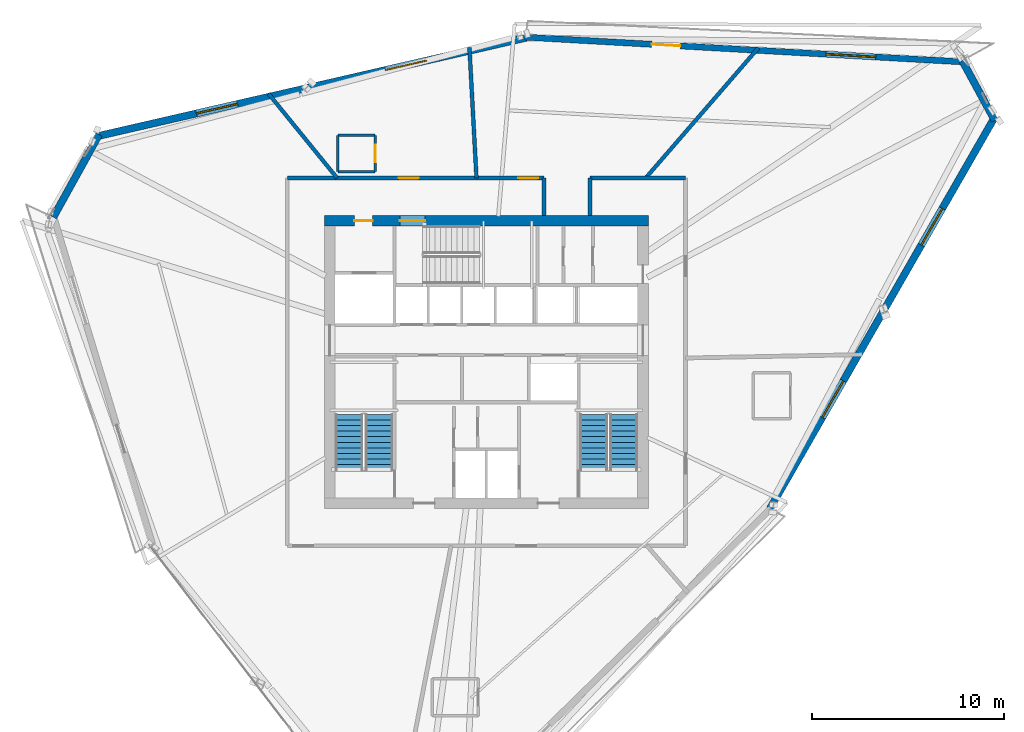
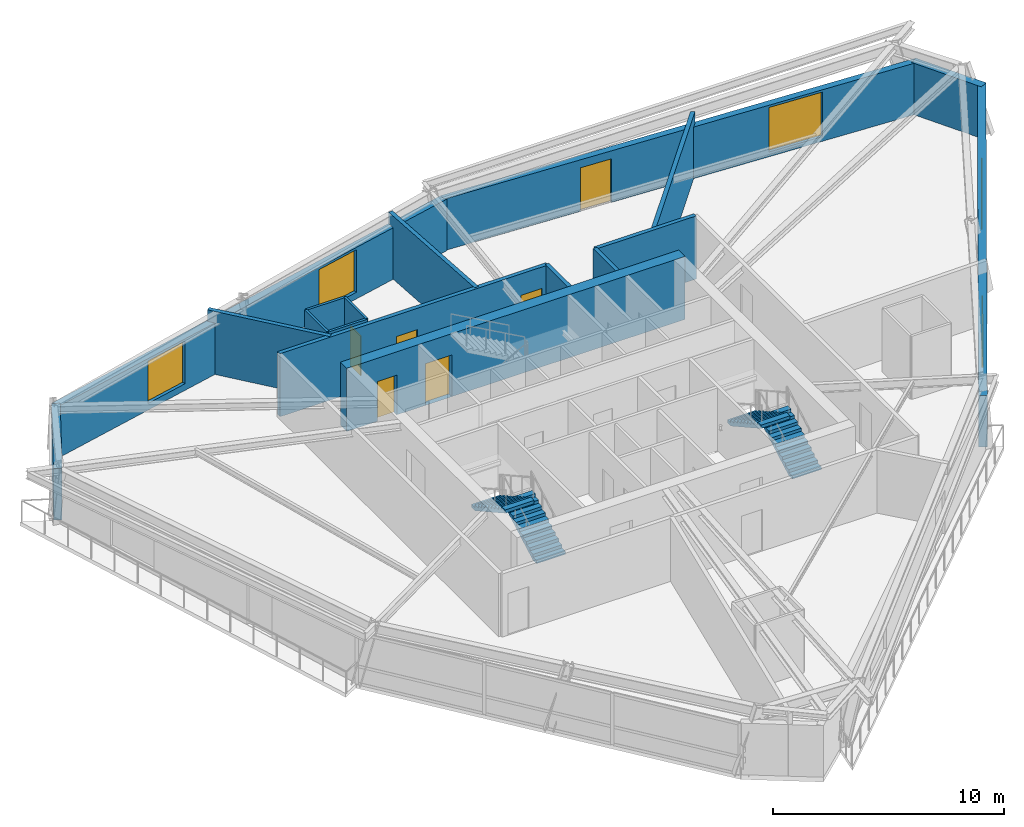
# One storey, part 11 of 15: 17 walls, 6 doors, 5 windows, 4 stair flights, 11 openings, 2 elements without a shape of their own.
"""IFC4 building model written with IfcOpenShell, lengths in metres."""

import ifcopenshell
import ifcopenshell.guid

model = None  # the IFC model being written
_history = None  # IfcOwnerHistory: only IFC2X3 demands one
_inside = {}  # id of a spatial element -> (the spatial element, [elements in it])
_under = {}  # id of a project, library or spatial element -> (it, [spatial elements below it])
_declared = {}  # id of a project -> (the project, [libraries it declares])
_typed = {}  # id of a type object -> (the type object, [elements of that type])
_made_of = {}  # id of a material, layer set ... -> (it, [elements and type objects made of it])


def new_model(schema):
    """Start an empty IFC model of exactly this schema.

    Asked for "IFC4X3", IfcOpenShell would pick the latest addendum, in which some entities
    have other attributes; the version numbers below select the first issue.
    IFC2X3 requires an IfcOwnerHistory on every rooted entity: one is made here for all.
    """
    global model, _history
    if schema == "IFC4X3":
        model = ifcopenshell.file(schema_version=(4, 3, 0, 0))
    else:
        model = ifcopenshell.file(schema=schema)
    _inside.clear()
    _under.clear()
    _declared.clear()
    _typed.clear()
    _made_of.clear()
    _history = None
    if model.schema == "IFC2X3":
        org = make("IfcOrganization", Name="unknown")
        user = make(
            "IfcPersonAndOrganization",
            ThePerson=make("IfcPerson", FamilyName="unknown"),
            TheOrganization=org,
        )
        app = make(
            "IfcApplication",
            ApplicationDeveloper=org,
            Version="unknown",
            ApplicationFullName="unknown",
            ApplicationIdentifier="unknown",
        )
        _history = make(
            "IfcOwnerHistory",
            OwningUser=user,
            OwningApplication=app,
            ChangeAction="ADDED",
            CreationDate=0,
        )
    return model


def make(cls, **values):
    """One entity of the class cls with the attributes given. An attribute that is None is left unset."""
    return model.create_entity(
        cls, **{name: value for name, value in values.items() if value is not None}
    )


def rooted(cls, **values):
    """An entity with a GlobalId (a new one), such as an element, a storey or a relation."""
    return make(cls, GlobalId=ifcopenshell.guid.new(), OwnerHistory=_history, **values)


def si_unit(unit_type, name, prefix=None):
    """IfcSIUnit, for example si_unit("LENGTHUNIT", "METRE", prefix="MILLI")."""
    return make("IfcSIUnit", UnitType=unit_type, Prefix=prefix, Name=name)


def assignment(units):
    """IfcUnitAssignment: the units of a project."""
    return None if units is None else make("IfcUnitAssignment", Units=units)


def point(xyz):
    """IfcCartesianPoint."""
    return None if xyz is None else make("IfcCartesianPoint", Coordinates=xyz)


def direction(xyz):
    """IfcDirection."""
    return None if xyz is None else make("IfcDirection", DirectionRatios=xyz)


def frame(location, z_axis=None, x_axis=None):
    """IfcAxis2Placement3D, a coordinate frame: its origin and axes. An axis left out is left unset."""
    return make(
        "IfcAxis2Placement3D",
        Location=point(location),
        Axis=direction(z_axis),
        RefDirection=direction(x_axis),
    )


def frame_2d(location, x_axis=None):
    """IfcAxis2Placement2D, a coordinate frame in the plane: its origin and x axis."""
    return make(
        "IfcAxis2Placement2D", Location=point(location), RefDirection=direction(x_axis)
    )


def origin():
    """The frame at (0, 0, 0) with its axes left unset."""
    return frame((0.0, 0.0, 0.0))


def place(relative_to, where):
    """IfcLocalPlacement: puts the frame where relative to a parent placement (None: the world)."""
    return make(
        "IfcLocalPlacement", PlacementRelTo=relative_to, RelativePlacement=where
    )


def context(
    kind, dimensions, precision=None, world=None, true_north=None, identifier=None
):
    """IfcGeometricRepresentationContext, for example the 3D "Model" context."""
    return make(
        "IfcGeometricRepresentationContext",
        ContextIdentifier=identifier,
        ContextType=kind,
        CoordinateSpaceDimension=dimensions,
        Precision=precision,
        WorldCoordinateSystem=world,
        TrueNorth=true_north,
    )


def subcontext(parent, identifier, kind, view, scale=None):
    """IfcGeometricRepresentationSubContext, for example "Body" below "Model"."""
    return make(
        "IfcGeometricRepresentationSubContext",
        ContextIdentifier=identifier,
        ContextType=kind,
        ParentContext=parent,
        TargetScale=scale,
        TargetView=view,
    )


def project(units=None, contexts=None):
    """IfcProject with its units and contexts."""
    return rooted(
        "IfcProject",
        Name="project",
        RepresentationContexts=contexts,
        UnitsInContext=assignment(units),
    )


def spatial(cls, under=None, at=None, **own):
    """A site, building, storey or space (cls), placed at a placement, below another one or the project."""
    s = rooted(cls, ObjectPlacement=at, **own)
    if under is not None:
        _under.setdefault(under.id(), (under, []))[1].append(s)
    return s


def polyline(points):
    """IfcPolyline through the points."""
    return make("IfcPolyline", Points=[point(p) for p in points])


def profile(cls, at=None, kind="AREA", **sizes):
    """A parametric profile (cls). Its sizes go by their IFC names, for example OverallWidth=200.0."""
    return make(cls, ProfileType=kind, Position=at, **sizes)


def rectangle(**sizes):
    """IfcRectangleProfileDef."""
    return profile("IfcRectangleProfileDef", **sizes)


def outline(outer, holes=None, kind="AREA"):
    """IfcArbitraryClosedProfileDef: a profile drawn as a closed curve; with holes, ...WithVoids."""
    if holes is None:
        return make("IfcArbitraryClosedProfileDef", ProfileType=kind, OuterCurve=outer)
    return make(
        "IfcArbitraryProfileDefWithVoids",
        ProfileType=kind,
        OuterCurve=outer,
        InnerCurves=holes,
    )


def extrude(swept, where, along, depth):
    """IfcExtrudedAreaSolid: the profile swept, set in the frame where, extruded along a direction by depth."""
    return make(
        "IfcExtrudedAreaSolid",
        SweptArea=swept,
        Position=where,
        ExtrudedDirection=direction(along),
        Depth=depth,
    )


def shape(context_of_items, identifier, shape_type, items):
    """IfcShapeRepresentation: the items that make up one representation, for example the "Body"."""
    return make(
        "IfcShapeRepresentation",
        ContextOfItems=context_of_items,
        RepresentationIdentifier=identifier,
        RepresentationType=shape_type,
        Items=items,
    )


def source(mapping_origin, context_of_items, identifier, shape_type, items):
    """IfcRepresentationMap: a shape defined once, which mapped items show again and again."""
    return make(
        "IfcRepresentationMap",
        MappingOrigin=mapping_origin,
        MappedRepresentation=shape(context_of_items, identifier, shape_type, items),
    )


def transform(
    local_origin,
    x_axis=None,
    y_axis=None,
    z_axis=None,
    scale=None,
    scale2=None,
    scale3=None,
    uniform=True,
):
    """IfcCartesianTransformationOperator3D, or its non-uniform kind. x_axis, y_axis, z_axis: its Axis1, 2, 3."""
    if uniform:
        return make(
            "IfcCartesianTransformationOperator3D",
            Axis1=direction(x_axis),
            Axis2=direction(y_axis),
            LocalOrigin=point(local_origin),
            Scale=scale,
            Axis3=direction(z_axis),
        )
    return make(
        "IfcCartesianTransformationOperator3DnonUniform",
        Axis1=direction(x_axis),
        Axis2=direction(y_axis),
        LocalOrigin=point(local_origin),
        Scale=scale,
        Axis3=direction(z_axis),
        Scale2=scale2,
        Scale3=scale3,
    )


def mapped(mapping_source, mapping_target):
    """IfcMappedItem: shows the shape of a source again, moved by a transform."""
    return make(
        "IfcMappedItem", MappingSource=mapping_source, MappingTarget=mapping_target
    )


def material(Name=None, Category=None):
    """IfcMaterial."""
    return make("IfcMaterial", Name=Name, Category=Category)


def layer(
    of_material, thickness, ventilated=None, Name=None, Category=None, Priority=None
):
    """IfcMaterialLayer: one layer of a wall or slab, of a material (None: an air gap)."""
    return make(
        "IfcMaterialLayer",
        Material=of_material,
        LayerThickness=thickness,
        IsVentilated=ventilated,
        Name=Name,
        Category=Category,
        Priority=Priority,
    )


def layer_set(layers, Name=None):
    """IfcMaterialLayerSet."""
    return make("IfcMaterialLayerSet", MaterialLayers=layers, LayerSetName=Name)


def made_of(thing, what):
    """Note that an element or type object is made of a material, layer set ...; save() writes the relation."""
    if what is not None:
        _made_of.setdefault(what.id(), (what, []))[1].append(thing)
    return thing


def type_object(cls, material=None, **own):
    """A type object (cls), such as IfcWallType, which elements share."""
    return made_of(rooted(cls, **own), material)


def type_shapes(of_type, sources):
    """Give a type object the sources (RepresentationMaps) that its elements show as mapped items."""
    of_type.RepresentationMaps = sources


def element(
    cls,
    number,
    at=None,
    inside=None,
    cuts=None,
    type_object=None,
    material=None,
    context=None,
    identifier="Body",
    shape_type=None,
    held_by="IfcProductDefinitionShape",
    body=None,
    shapes=None,
    **own,
):
    """One element of the class cls, such as IfcWall. Its Tag is "e" and its number.

    at: its placement. inside: the storey or other place that contains it. cuts: it is an
    opening in that element (IfcRelVoidsElement). A single representation is given by context,
    identifier, shape_type and body (its items); several are given by shapes. held_by: the class
    of the entity that holds the representations. save() writes the other relations.
    """
    e = rooted(cls, Tag="e%d" % number, ObjectPlacement=at, **own)
    if body is not None:
        shapes = [shape(context, identifier, shape_type, body)]
    if shapes is not None:
        e.Representation = make(held_by, Representations=shapes)
    if inside is not None:
        _inside.setdefault(inside.id(), (inside, []))[1].append(e)
    if cuts is not None:
        rooted(
            "IfcRelVoidsElement", RelatingBuildingElement=cuts, RelatedOpeningElement=e
        )
    if type_object is not None:
        _typed.setdefault(type_object.id(), (type_object, []))[1].append(e)
    return made_of(e, material)


def fill(opening, filler):
    """IfcRelFillsElement: the door or window that sits in an opening."""
    return rooted(
        "IfcRelFillsElement",
        RelatingOpeningElement=opening,
        RelatedBuildingElement=filler,
    )


def aggregate(whole, parts):
    """IfcRelAggregates: a whole, such as a stair, and the parts it consists of."""
    return rooted("IfcRelAggregates", RelatingObject=whole, RelatedObjects=parts)


def save(model, path):
    """Write the relations noted so far, then the file.

    IfcRelAggregates (storeys below a building ...), IfcRelContainedInSpatialStructure (elements
    in a storey), IfcRelDefinesByType, IfcRelAssociatesMaterial and IfcRelDeclares: one each for
    every whole, place, type object, material and project.
    """
    for whole, parts in _under.values():
        aggregate(whole, parts)
    for where, things in _inside.values():
        rooted(
            "IfcRelContainedInSpatialStructure",
            RelatedElements=things,
            RelatingStructure=where,
        )
    for kind, things in _typed.values():
        rooted("IfcRelDefinesByType", RelatedObjects=things, RelatingType=kind)
    for what, things in _made_of.values():
        rooted("IfcRelAssociatesMaterial", RelatedObjects=things, RelatingMaterial=what)
    for by, libraries in _declared.values():
        rooted("IfcRelDeclares", RelatingContext=by, RelatedDefinitions=libraries)
    model.write(path)


model = new_model("IFC4")

# Units and contexts
model_context = context("Model", 3, precision=1e-05, world=origin(), true_north=direction((0.0, 1.0)))
body_context = subcontext(model_context, "Body", "Model", "MODEL_VIEW")
ifc_project = project(units=[si_unit("LENGTHUNIT", "METRE"), si_unit("AREAUNIT", "SQUARE_METRE"), si_unit("VOLUMEUNIT", "CUBIC_METRE"), si_unit("PLANEANGLEUNIT", "RADIAN"), si_unit("MASSUNIT", "GRAM", prefix="KILO")], contexts=[model_context])

# Site, building, storey
site_placement = place(None, origin())
site = spatial("IfcSite", under=ifc_project, at=site_placement, CompositionType="ELEMENT")
building_placement = place(site_placement, origin())
building = spatial("IfcBuilding", under=site, at=building_placement, Name="Olszyna Solenne Hotel", CompositionType="ELEMENT")
storey_placement = place(building_placement, frame((0.0, 0.0, 157.25)))
storey = spatial("IfcBuildingStorey", under=building, at=storey_placement, Name="L41", CompositionType="ELEMENT", Elevation=157.25)

# Wall, openings, doors
ifc_material_1 = material(Name="Concrete C50/60", Category="concrete")
ifc_layer_1 = layer(ifc_material_1, 0.550048828125, Name="Concrete C50/60")
ifc_layer_set_1 = layer_set([ifc_layer_1], Name="Concrete C50/60")
wall_type_1 = type_object("IfcWallType", Name="WL-CR550", PredefinedType="SHEAR", material=ifc_layer_set_1)
wall_1_placement = place(storey_placement, frame((29.550048828125, 33.97509765625, 0.0), z_axis=(0.0, 0.0, 1.0), x_axis=(1.0, 0.0, 0.0)))
wall_1 = element("IfcWall", 1, at=wall_1_placement, inside=storey, type_object=wall_type_1, Name="Core shear wall WL-CR550 CRW-L41-N", PredefinedType="SHEAR", context=body_context, shape_type="SweptSolid", body=[
    extrude(rectangle(XDim=16.89990234375, YDim=0.550048828125, at=frame_2d((8.449951171875, 0.0))), origin(), (0.0, 0.0, 1.0), 3.330078125),
])
opening_1_placement = place(wall_1_placement, frame((1.550048828125, 0.0, 0.0)))
opening_1 = element("IfcOpeningElement", 2, at=opening_1_placement, cuts=wall_1, Name="Opening SVD-L41-01", PredefinedType="OPENING", context=body_context, shape_type="SweptSolid", body=[
    extrude(rectangle(XDim=0.949951171875, YDim=2.10009765625, at=frame_2d((0.47509765625, 1.050048828125))), frame((0.0, 0.28515625, 0.0), z_axis=(0.0, -1.0, 0.0), x_axis=(1.0, 0.0, 0.0)), (0.0, 0.0, 1.0), 0.570068359375),
])
opening_2_placement = place(wall_1_placement, frame((3.929931640625, 0.0, 0.0)))
opening_2 = element("IfcOpeningElement", 3, at=opening_2_placement, cuts=wall_1, Name="Opening STD-L41-03", PredefinedType="OPENING", context=body_context, shape_type="SweptSolid", body=[
    extrude(rectangle(XDim=1.320068359375, YDim=2.199951171875, at=frame_2d((0.66015625, 1.10009765625))), frame((0.0, 0.28515625, 0.0), z_axis=(0.0, -1.0, 0.0), x_axis=(1.0, 0.0, 0.0)), (0.0, 0.0, 1.0), 0.570068359375),
])
ifc_material_2 = material(Name="Steel S355J2", Category="steel")
door_type_1 = type_object("IfcDoorType", Name="DR-ST1", OperationType="NOTDEFINED", PredefinedType="DOOR", material=ifc_material_2)
shared_shape_1 = source(origin(), body_context, "Body", "SweptSolid", [
    extrude(rectangle(XDim=1.320068359375, YDim=2.199951171875, at=frame_2d((0.66015625, 1.10009765625))), frame((0.0, 0.02490234375, 0.0), z_axis=(0.0, -1.0, 0.0), x_axis=(1.0, 0.0, 0.0)), (0.0, 0.0, 1.0), 0.050048828125),
])
type_shapes(door_type_1, [shared_shape_1])
door_1_placement = place(opening_2_placement, origin())
door_1 = element("IfcDoor", 4, at=door_1_placement, inside=storey, type_object=door_type_1, Name="Pressurised exit stair ST3 fire door STD-L41-03", OperationType="SINGLE_SWING_RIGHT", OverallHeight=2.199951171875, OverallWidth=1.320068359375, PredefinedType="DOOR", context=body_context, shape_type="MappedRepresentation", body=[
    mapped(shared_shape_1, transform((0.0, 0.0, 0.0), x_axis=(1.0, 0.0, 0.0), y_axis=(0.0, 1.0, 0.0), z_axis=(0.0, 0.0, 1.0), scale=1.0)),
])
fill(opening_2, door_1)
door_type_2 = type_object("IfcDoorType", Name="DR-SV1", OperationType="NOTDEFINED", PredefinedType="DOOR", material=ifc_material_2)
shared_shape_2 = source(origin(), body_context, "Body", "SweptSolid", [
    extrude(rectangle(XDim=0.949951171875, YDim=2.10009765625, at=frame_2d((0.47509765625, 1.050048828125))), frame((0.0, 0.02490234375, 0.0), z_axis=(0.0, -1.0, 0.0), x_axis=(1.0, 0.0, 0.0)), (0.0, 0.0, 1.0), 0.050048828125),
])
type_shapes(door_type_2, [shared_shape_2])
door_2_placement = place(opening_1_placement, origin())
door_2 = element("IfcDoor", 5, at=door_2_placement, inside=storey, type_object=door_type_2, Name="Service lift lobby fire door SVD-L41-01", OperationType="SINGLE_SWING_LEFT", OverallHeight=2.10009765625, OverallWidth=0.949951171875, PredefinedType="DOOR", context=body_context, shape_type="MappedRepresentation", body=[
    mapped(shared_shape_2, transform((0.0, 0.0, 0.0), x_axis=(1.0, 0.0, 0.0), y_axis=(0.0, 1.0, 0.0), z_axis=(0.0, 0.0, 1.0), scale=1.0)),
])
fill(opening_1, door_2)

# Wall, openings, door, window
ifc_material_3 = material(Name="Precast concrete C45/55", Category="concrete")
ifc_layer_2 = layer(ifc_material_3, 0.320068359375, Name="Precast concrete C45/55")
ifc_layer_set_2 = layer_set([ifc_layer_2], Name="Precast concrete C45/55")
wall_type_2 = type_object("IfcWallType", Name="WL-EX320", PredefinedType="SOLIDWALL", material=ifc_layer_set_2)
wall_2_placement = place(storey_placement, frame((40.026611328125, 43.552978515625, 0.0), z_axis=(0.0, 0.0, 1.0), x_axis=(0.998410901797, -0.056353093731, 0.0)))
wall_2 = element("IfcWall", 6, at=wall_2_placement, inside=storey, type_object=wall_type_2, Name="Exterior terracotta-precast frame wall WL-EX320 EW-L41-08", PredefinedType="SOLIDWALL", context=body_context, shape_type="SweptSolid", body=[
    extrude(rectangle(XDim=23.013427734375, YDim=0.320068359375, at=frame_2d((11.5068359375, 0.0))), origin(), (0.0, 0.0, 1.0), 2.721923828125),
])
opening_3_placement = place(wall_2_placement, frame((6.614013671875, 0.0, 0.0)))
opening_3 = element("IfcOpeningElement", 7, at=opening_3_placement, cuts=wall_2, Name="Opening LDG-L41-1", PredefinedType="OPENING", context=body_context, shape_type="SweptSolid", body=[
    extrude(rectangle(XDim=1.5, YDim=2.300048828125, at=frame_2d((0.75, 1.14990234375))), frame((0.0, 0.169921875, 0.0), z_axis=(0.0, -1.0, 0.0), x_axis=(1.0, 0.0, 0.0)), (0.0, 0.0, 1.0), 0.340087890625),
])
opening_4_placement = place(wall_2_placement, frame((15.72998046875, 0.0, 0.251953125)))
opening_4 = element("IfcOpeningElement", 8, at=opening_4_placement, cuts=wall_2, Name="Opening WN-L41-252", PredefinedType="OPENING", context=body_context, shape_type="SweptSolid", body=[
    extrude(rectangle(XDim=2.60009765625, YDim=2.35009765625, at=frame_2d((1.300048828125, 1.175048828125))), frame((0.0, 0.169921875, 0.0), z_axis=(0.0, -1.0, 0.0), x_axis=(1.0, 0.0, 0.0)), (0.0, 0.0, 1.0), 0.340087890625),
])
ifc_material_4 = material(Name="Anodised bronze aluminium", Category="aluminium")
door_type_3 = type_object("IfcDoorType", Name="DR-LG2", OperationType="DOUBLE_DOOR_SINGLE_SWING", PredefinedType="DOOR", material=ifc_material_4)
shared_shape_3 = source(origin(), body_context, "Body", "SweptSolid", [
    extrude(rectangle(XDim=1.5, YDim=2.300048828125, at=frame_2d((0.75, 1.14990234375))), frame((0.0, 0.02490234375, 0.0), z_axis=(0.0, -1.0, 0.0), x_axis=(1.0, 0.0, 0.0)), (0.0, 0.0, 1.0), 0.050048828125),
])
type_shapes(door_type_3, [shared_shape_3])
door_3_placement = place(opening_3_placement, origin())
door_3 = element("IfcDoor", 9, at=door_3_placement, inside=storey, type_object=door_type_3, Name="Exterior loggia balcony door DR-LG2 LDG-L41-1", OperationType="DOUBLE_DOOR_SINGLE_SWING", OverallHeight=2.300048828125, OverallWidth=1.5, PredefinedType="DOOR", context=body_context, shape_type="MappedRepresentation", body=[
    mapped(shared_shape_3, transform((0.0, 0.0, 0.0), x_axis=(1.0, 0.0, 0.0), y_axis=(0.0, 1.0, 0.0), z_axis=(0.0, 0.0, 1.0), scale=1.0)),
])
fill(opening_3, door_3)
ifc_material_5 = material(Name="Low-E triple glazing", Category="glass")
window_type_1 = type_object("IfcWindowType", Name="WN-ST1", PartitioningType="SINGLE_PANEL", PredefinedType="WINDOW", material=ifc_material_5)
shared_shape_4 = source(origin(), body_context, "Body", "SweptSolid", [
    extrude(rectangle(XDim=2.60009765625, YDim=2.35009765625, at=frame_2d((1.300048828125, 1.175048828125))), frame((0.0, 0.030029296875, 0.0), z_axis=(0.0, -1.0, 0.0), x_axis=(1.0, 0.0, 0.0)), (0.0, 0.0, 1.0), 0.06005859375),
])
type_shapes(window_type_1, [shared_shape_4])
window_1_placement = place(opening_4_placement, origin())
window_1 = element("IfcWindow", 10, at=window_1_placement, inside=storey, type_object=window_type_1, Name="Loggia room window WN-ST1 WN-L41-252", OverallHeight=2.35009765625, OverallWidth=2.60009765625, PartitioningType="SINGLE_PANEL", PredefinedType="WINDOW", context=body_context, shape_type="MappedRepresentation", body=[
    mapped(shared_shape_4, transform((0.0, 0.0, 0.0), x_axis=(1.0, 0.0, 0.0), y_axis=(0.0, 1.0, 0.0), z_axis=(0.0, 0.0, 1.0), scale=1.0)),
])
fill(opening_4, window_1)

# Wall
ifc_material_6 = material(Name="Terracotta cladding on precast concrete C45/55", Category="masonry")
ifc_layer_3 = layer(ifc_material_6, 0.3798828125, Name="Terracotta cladding on precast concrete C45/55")
ifc_layer_set_3 = layer_set([ifc_layer_3], Name="Terracotta cladding on precast concrete C45/55")
wall_type_3 = type_object("IfcWallType", Name="WL-EX380", PredefinedType="SOLIDWALL", material=ifc_layer_set_3)
wall_3_placement = place(storey_placement, frame((15.381103515625, 34.15380859375, 0.0), z_axis=(0.0, 0.0, 1.0), x_axis=(0.484802227824, 0.874623804785, 0.0)))
element("IfcWall", 11, at=wall_3_placement, inside=storey, type_object=wall_type_3, Name="Exterior terracotta-precast frame wall WL-EX380 EW-L41-06", PredefinedType="SOLIDWALL", context=body_context, shape_type="SweptSolid", body=[
    extrude(rectangle(XDim=4.9326171875, YDim=0.3798828125, at=frame_2d((2.46630859375, 0.0))), origin(), (0.0, 0.0, 1.0), 2.721923828125),
])

# Wall, openings, windows
wall_4_placement = place(storey_placement, frame((17.648681640625, 38.375, 0.0), z_axis=(0.0, 0.0, 1.0), x_axis=(0.974613320318, 0.223894787475, 0.0)))
wall_4 = element("IfcWall", 12, at=wall_4_placement, inside=storey, type_object=wall_type_3, Name="Exterior terracotta-precast frame wall WL-EX380 EW-L41-07", PredefinedType="SOLIDWALL", context=body_context, shape_type="SweptSolid", body=[
    extrude(rectangle(XDim=23.013427734375, YDim=0.3798828125, at=frame_2d((11.5068359375, 0.0))), origin(), (0.0, 0.0, 1.0), 2.721923828125),
])
opening_5_placement = place(wall_4_placement, frame((5.343994140625, 0.0, 0.35205078125)))
opening_5 = element("IfcOpeningElement", 13, at=opening_5_placement, cuts=wall_4, Name="Opening WN-L41-250", PredefinedType="OPENING", context=body_context, shape_type="SweptSolid", body=[
    extrude(rectangle(XDim=2.199951171875, YDim=2.25, at=frame_2d((1.10009765625, 1.125))), frame((0.0, 0.199951171875, 0.0), z_axis=(0.0, -1.0, 0.0), x_axis=(1.0, 0.0, 0.0)), (0.0, 0.0, 1.0), 0.39990234375),
])
opening_6_placement = place(wall_4_placement, frame((15.469970703125, 0.0, 0.35205078125)))
opening_6 = element("IfcOpeningElement", 14, at=opening_6_placement, cuts=wall_4, Name="Opening WN-L41-251", PredefinedType="OPENING", context=body_context, shape_type="SweptSolid", body=[
    extrude(rectangle(XDim=2.199951171875, YDim=2.25, at=frame_2d((1.10009765625, 1.125))), frame((0.0, 0.199951171875, 0.0), z_axis=(0.0, -1.0, 0.0), x_axis=(1.0, 0.0, 0.0)), (0.0, 0.0, 1.0), 0.39990234375),
])
window_type_2 = type_object("IfcWindowType", Name="WN-HT2", PartitioningType="SINGLE_PANEL", PredefinedType="WINDOW", material=ifc_material_5)
shared_shape_5 = source(origin(), body_context, "Body", "SweptSolid", [
    extrude(rectangle(XDim=2.199951171875, YDim=2.25, at=frame_2d((1.10009765625, 1.125))), frame((0.0, 0.030029296875, 0.0), z_axis=(0.0, -1.0, 0.0), x_axis=(1.0, 0.0, 0.0)), (0.0, 0.0, 1.0), 0.06005859375),
])
type_shapes(window_type_2, [shared_shape_5])
window_2_placement = place(opening_5_placement, origin())
window_2 = element("IfcWindow", 15, at=window_2_placement, inside=storey, type_object=window_type_2, Name="Exterior facade window WN-HT2 WN-L41-250", OverallHeight=2.25, OverallWidth=2.199951171875, PartitioningType="SINGLE_PANEL", PredefinedType="WINDOW", context=body_context, shape_type="MappedRepresentation", body=[
    mapped(shared_shape_5, transform((0.0, 0.0, 0.0), x_axis=(1.0, 0.0, 0.0), y_axis=(0.0, 1.0, 0.0), z_axis=(0.0, 0.0, 1.0), scale=1.0)),
])
fill(opening_5, window_2)
window_3_placement = place(opening_6_placement, origin())
window_3 = element("IfcWindow", 16, at=window_3_placement, inside=storey, type_object=window_type_2, Name="Exterior facade window WN-HT2 WN-L41-251", OverallHeight=2.25, OverallWidth=2.199951171875, PartitioningType="SINGLE_PANEL", PredefinedType="WINDOW", context=body_context, shape_type="MappedRepresentation", body=[
    mapped(shared_shape_5, transform((0.0, 0.0, 0.0), x_axis=(1.0, 0.0, 0.0), y_axis=(0.0, 1.0, 0.0), z_axis=(0.0, 0.0, 1.0), scale=1.0)),
])
fill(opening_6, window_3)

# Wall
wall_5_placement = place(storey_placement, frame((62.845703125, 42.324951171875, 0.0), z_axis=(0.0, 0.0, 1.0), x_axis=(0.477924257252, -0.878401049823, 0.0)))
element("IfcWall", 17, at=wall_5_placement, inside=storey, type_object=wall_type_3, Name="Exterior terracotta-precast frame wall WL-EX380 EW-L41-09", PredefinedType="SOLIDWALL", context=body_context, shape_type="SweptSolid", body=[
    extrude(rectangle(XDim=3.55908203125, YDim=0.3798828125, at=frame_2d((1.779541015625, 0.0))), origin(), (0.0, 0.0, 1.0), 2.721923828125),
])

# Wall, openings, windows
wall_6_placement = place(storey_placement, frame((64.548583984375, 39.384033203125, 0.0), z_axis=(0.0, 0.0, 1.0), x_axis=(-0.49798956696, -0.867183020589, 0.0)))
wall_6 = element("IfcWall", 18, at=wall_6_placement, inside=storey, type_object=wall_type_3, Name="Exterior terracotta-precast frame wall WL-EX380 EW-L41-10", PredefinedType="SOLIDWALL", context=body_context, shape_type="SweptSolid", body=[
    extrude(rectangle(XDim=23.597900390625, YDim=0.3798828125, at=frame_2d((11.798828125, 0.0))), origin(), (0.0, 0.0, 1.0), 2.721923828125),
])
opening_7_placement = place(wall_6_placement, frame((5.507080078125, 0.0, 0.35205078125)))
opening_7 = element("IfcOpeningElement", 19, at=opening_7_placement, cuts=wall_6, Name="Opening WN-L41-253", PredefinedType="OPENING", context=body_context, shape_type="SweptSolid", body=[
    extrude(rectangle(XDim=2.199951171875, YDim=2.25, at=frame_2d((1.10009765625, 1.125))), frame((0.0, 0.199951171875, 0.0), z_axis=(0.0, -1.0, 0.0), x_axis=(1.0, 0.0, 0.0)), (0.0, 0.0, 1.0), 0.39990234375),
])
opening_8_placement = place(wall_6_placement, frame((15.89111328125, 0.0, 0.35205078125)))
opening_8 = element("IfcOpeningElement", 20, at=opening_8_placement, cuts=wall_6, Name="Opening WN-L41-254", PredefinedType="OPENING", context=body_context, shape_type="SweptSolid", body=[
    extrude(rectangle(XDim=2.199951171875, YDim=2.25, at=frame_2d((1.10009765625, 1.125))), frame((0.0, 0.199951171875, 0.0), z_axis=(0.0, -1.0, 0.0), x_axis=(1.0, 0.0, 0.0)), (0.0, 0.0, 1.0), 0.39990234375),
])
window_4_placement = place(opening_7_placement, origin())
window_4 = element("IfcWindow", 21, at=window_4_placement, inside=storey, type_object=window_type_2, Name="Exterior facade window WN-HT2 WN-L41-253", OverallHeight=2.25, OverallWidth=2.199951171875, PartitioningType="SINGLE_PANEL", PredefinedType="WINDOW", context=body_context, shape_type="MappedRepresentation", body=[
    mapped(shared_shape_5, transform((0.0, 0.0, 0.0), x_axis=(1.0, 0.0, 0.0), y_axis=(0.0, 1.0, 0.0), z_axis=(0.0, 0.0, 1.0), scale=1.0)),
])
fill(opening_7, window_4)
window_5_placement = place(opening_8_placement, origin())
window_5 = element("IfcWindow", 22, at=window_5_placement, inside=storey, type_object=window_type_2, Name="Exterior facade window WN-HT2 WN-L41-254", OverallHeight=2.25, OverallWidth=2.199951171875, PartitioningType="SINGLE_PANEL", PredefinedType="WINDOW", context=body_context, shape_type="MappedRepresentation", body=[
    mapped(shared_shape_5, transform((0.0, 0.0, 0.0), x_axis=(1.0, 0.0, 0.0), y_axis=(0.0, 1.0, 0.0), z_axis=(0.0, 0.0, 1.0), scale=1.0)),
])
fill(opening_8, window_5)

# Wall, opening, door
ifc_material_7 = material(Name="Acoustic gypsum partition", Category="gypsum")
ifc_layer_4 = layer(ifc_material_7, 0.125, Name="Acoustic gypsum partition")
ifc_layer_set_4 = layer_set([ifc_layer_4], Name="Acoustic gypsum partition")
wall_type_4 = type_object("IfcWallType", Name="WL-PT125", PredefinedType="PARTITIONING", material=ifc_layer_set_4)
wall_7_placement = place(storey_placement, frame((32.18603515625, 36.529052734375, 0.0), z_axis=(0.0, 0.0, 1.0), x_axis=(0.0, 1.0, 0.0)))
wall_7 = element("IfcWall", 23, at=wall_7_placement, inside=storey, type_object=wall_type_4, Name="Interior acoustic partition WL-PT125 PW-L41-2327", PredefinedType="PARTITIONING", context=body_context, shape_type="SweptSolid", body=[
    extrude(rectangle(XDim=1.89990234375, YDim=0.125, at=frame_2d((0.949951171875, 0.0))), origin(), (0.0, 0.0, 1.0), 3.330078125),
])
opening_9_placement = place(wall_7_placement, frame((0.5, 0.0, 0.0)))
opening_9 = element("IfcOpeningElement", 24, at=opening_9_placement, cuts=wall_7, Name="Opening DR-L41-0561", PredefinedType="OPENING", context=body_context, shape_type="SweptSolid", body=[
    extrude(rectangle(XDim=0.89990234375, YDim=2.10009765625, at=frame_2d((0.449951171875, 1.050048828125))), frame((0.0, 0.072509765625, 0.0), z_axis=(0.0, -1.0, 0.0), x_axis=(1.0, 0.0, 0.0)), (0.0, 0.0, 1.0), 0.14501953125),
])
ifc_material_8 = material(Name="Timber hardwood", Category="wood")
door_type_4 = type_object("IfcDoorType", Name="DR-WC1", OperationType="NOTDEFINED", PredefinedType="DOOR", material=ifc_material_8)
shared_shape_6 = source(origin(), body_context, "Body", "SweptSolid", [
    extrude(rectangle(XDim=0.89990234375, YDim=2.10009765625, at=frame_2d((0.449951171875, 1.050048828125))), frame((0.0, 0.02490234375, 0.0), z_axis=(0.0, -1.0, 0.0), x_axis=(1.0, 0.0, 0.0)), (0.0, 0.0, 1.0), 0.050048828125),
])
type_shapes(door_type_4, [shared_shape_6])
door_4_placement = place(opening_9_placement, origin())
door_4 = element("IfcDoor", 25, at=door_4_placement, inside=storey, type_object=door_type_4, Name="En-Suite Bathroom Door DR-L41-0561", OperationType="SINGLE_SWING_RIGHT", OverallHeight=2.10009765625, OverallWidth=0.89990234375, PredefinedType="DOOR", context=body_context, shape_type="MappedRepresentation", body=[
    mapped(shared_shape_6, transform((0.0, 0.0, 0.0), x_axis=(1.0, 0.0, 0.0), y_axis=(0.0, 1.0, 0.0), z_axis=(0.0, 0.0, 1.0), scale=1.0)),
])
fill(opening_9, door_4)

# Walls
wall_8_placement = place(storey_placement, frame((32.18603515625, 38.428955078125, 0.0), z_axis=(0.0, 0.0, 1.0), x_axis=(-1.0, 0.0, 0.0)))
element("IfcWall", 26, at=wall_8_placement, inside=storey, type_object=wall_type_4, Name="Interior acoustic partition WL-PT125 PW-L41-2328", PredefinedType="PARTITIONING", context=body_context, shape_type="SweptSolid", body=[
    extrude(rectangle(XDim=1.949951171875, YDim=0.125, at=frame_2d((0.97509765625, 0.0))), origin(), (0.0, 0.0, 1.0), 3.330078125),
])
wall_9_placement = place(storey_placement, frame((30.236083984375, 38.428955078125, 0.0), z_axis=(0.0, 0.0, 1.0), x_axis=(0.0, -1.0, 0.0)))
element("IfcWall", 27, at=wall_9_placement, inside=storey, type_object=wall_type_4, Name="Interior acoustic partition WL-PT125 PW-L41-2329", PredefinedType="PARTITIONING", context=body_context, shape_type="SweptSolid", body=[
    extrude(rectangle(XDim=1.89990234375, YDim=0.125, at=frame_2d((0.949951171875, 0.0))), origin(), (0.0, 0.0, 1.0), 3.330078125),
])
wall_10_placement = place(storey_placement, frame((30.236083984375, 36.529052734375, 0.0), z_axis=(0.0, 0.0, 1.0), x_axis=(1.0, 0.0, 0.0)))
element("IfcWall", 28, at=wall_10_placement, inside=storey, type_object=wall_type_4, Name="Interior acoustic partition WL-PT125 PW-L41-2330", PredefinedType="PARTITIONING", context=body_context, shape_type="SweptSolid", body=[
    extrude(rectangle(XDim=1.949951171875, YDim=0.125, at=frame_2d((0.97509765625, 0.0))), origin(), (0.0, 0.0, 1.0), 3.330078125),
])
ifc_layer_5 = layer(ifc_material_7, 0.199951171875, Name="Acoustic gypsum partition")
ifc_layer_set_5 = layer_set([ifc_layer_5], Name="Acoustic gypsum partition")
wall_type_5 = type_object("IfcWallType", Name="WL-PT200", PredefinedType="PARTITIONING", material=ifc_layer_set_5)
wall_11_placement = place(storey_placement, frame((30.1982421875, 36.199951171875, 0.0), z_axis=(0.0, 0.0, 1.0), x_axis=(-0.63066232019, 0.776057367656, 0.0)))
element("IfcWall", 29, at=wall_11_placement, inside=storey, type_object=wall_type_5, Name="Interior acoustic partition WL-PT200 PW-L41-2313", PredefinedType="PARTITIONING", context=body_context, shape_type="SweptSolid", body=[
    extrude(rectangle(XDim=5.67041015625, YDim=0.199951171875, at=frame_2d((2.835205078125, 0.0))), origin(), (0.0, 0.0, 1.0), 3.330078125),
])
wall_12_placement = place(storey_placement, frame((46.31591796875, 36.199951171875, 0.0), z_axis=(0.0, 0.0, 1.0), x_axis=(0.654736166115, 0.755857495022, 0.0)))
element("IfcWall", 30, at=wall_12_placement, inside=storey, type_object=wall_type_5, Name="Interior acoustic partition WL-PT200 PW-L41-2317", PredefinedType="PARTITIONING", context=body_context, shape_type="SweptSolid", body=[
    extrude(rectangle(XDim=8.990966796875, YDim=0.199951171875, at=frame_2d((4.49560546875, 0.0))), origin(), (0.0, 0.0, 1.0), 3.330078125),
])
wall_13_placement = place(storey_placement, frame((37.47998046875, 36.199951171875, 0.0), z_axis=(0.0, 0.0, 1.0), x_axis=(-0.054052429799, 0.998538098839, 0.0)))
element("IfcWall", 31, at=wall_13_placement, inside=storey, type_object=wall_type_5, Name="Interior acoustic partition WL-PT200 PW-L41-2318", PredefinedType="PARTITIONING", context=body_context, shape_type="SweptSolid", body=[
    extrude(rectangle(XDim=6.8203125, YDim=0.199951171875, at=frame_2d((3.41015625, 0.0))), origin(), (0.0, 0.0, 1.0), 3.330078125),
])

# Wall, openings, doors
wall_14_placement = place(storey_placement, frame((27.60009765625, 36.199951171875, 0.0), z_axis=(0.0, 0.0, 1.0), x_axis=(1.0, 0.0, 0.0)))
wall_14 = element("IfcWall", 32, at=wall_14_placement, inside=storey, type_object=wall_type_5, Name="Interior acoustic partition WL-PT200 PW-L41-2333", PredefinedType="PARTITIONING", context=body_context, shape_type="SweptSolid", body=[
    extrude(rectangle(XDim=13.39990234375, YDim=0.199951171875, at=frame_2d((6.699951171875, 0.0))), origin(), (0.0, 0.0, 1.0), 3.330078125),
])
opening_10_placement = place(wall_14_placement, frame((12.050048828125, 0.0, 0.0)))
opening_10 = element("IfcOpeningElement", 33, at=opening_10_placement, cuts=wall_14, Name="Opening DR-L41-0564", PredefinedType="OPENING", context=body_context, shape_type="SweptSolid", body=[
    extrude(rectangle(XDim=1.050048828125, YDim=2.199951171875, at=frame_2d((0.52490234375, 1.10009765625))), frame((0.0, 0.10986328125, 0.0), z_axis=(0.0, -1.0, 0.0), x_axis=(1.0, 0.0, 0.0)), (0.0, 0.0, 1.0), 0.219970703125),
])
opening_11_placement = place(wall_14_placement, frame((5.818115234375, 0.0, 0.0)))
opening_11 = element("IfcOpeningElement", 34, at=opening_11_placement, cuts=wall_14, Name="Opening DR-L41-0565", PredefinedType="OPENING", context=body_context, shape_type="SweptSolid", body=[
    extrude(rectangle(XDim=1.050048828125, YDim=2.199951171875, at=frame_2d((0.52490234375, 1.10009765625))), frame((0.0, 0.10986328125, 0.0), z_axis=(0.0, -1.0, 0.0), x_axis=(1.0, 0.0, 0.0)), (0.0, 0.0, 1.0), 0.219970703125),
])
door_type_5 = type_object("IfcDoorType", Name="DR-RM2", OperationType="NOTDEFINED", PredefinedType="DOOR", material=ifc_material_8)
shared_shape_7 = source(origin(), body_context, "Body", "SweptSolid", [
    extrude(rectangle(XDim=1.050048828125, YDim=2.199951171875, at=frame_2d((0.52490234375, 1.10009765625))), frame((0.0, 0.02490234375, 0.0), z_axis=(0.0, -1.0, 0.0), x_axis=(1.0, 0.0, 0.0)), (0.0, 0.0, 1.0), 0.050048828125),
])
type_shapes(door_type_5, [shared_shape_7])
door_5_placement = place(opening_10_placement, origin())
door_5 = element("IfcDoor", 35, at=door_5_placement, inside=storey, type_object=door_type_5, Name="Boutique Art Gallery Entrance Door DR-L41-0564", OperationType="SINGLE_SWING_RIGHT", OverallHeight=2.199951171875, OverallWidth=1.050048828125, PredefinedType="DOOR", context=body_context, shape_type="MappedRepresentation", body=[
    mapped(shared_shape_7, transform((0.0, 0.0, 0.0), x_axis=(1.0, 0.0, 0.0), y_axis=(0.0, 1.0, 0.0), z_axis=(0.0, 0.0, 1.0), scale=1.0)),
])
fill(opening_10, door_5)
door_6_placement = place(opening_11_placement, origin())
door_6 = element("IfcDoor", 36, at=door_6_placement, inside=storey, type_object=door_type_5, Name="Executive Reading Salon Entrance Door DR-L41-0565", OperationType="SINGLE_SWING_LEFT", OverallHeight=2.199951171875, OverallWidth=1.050048828125, PredefinedType="DOOR", context=body_context, shape_type="MappedRepresentation", body=[
    mapped(shared_shape_7, transform((0.0, 0.0, 0.0), x_axis=(1.0, 0.0, 0.0), y_axis=(0.0, 1.0, 0.0), z_axis=(0.0, 0.0, 1.0), scale=1.0)),
])
fill(opening_11, door_6)

# Walls
wall_15_placement = place(storey_placement, frame((41.0, 34.25, 0.0), z_axis=(0.0, 0.0, 1.0), x_axis=(0.0, 1.0, 0.0)))
element("IfcWall", 37, at=wall_15_placement, inside=storey, type_object=wall_type_5, Name="Interior acoustic partition WL-PT200 PW-L41-2334", PredefinedType="PARTITIONING", context=body_context, shape_type="SweptSolid", body=[
    extrude(rectangle(XDim=1.949951171875, YDim=0.199951171875, at=frame_2d((0.97509765625, 0.0))), origin(), (0.0, 0.0, 1.0), 3.330078125),
])
wall_16_placement = place(storey_placement, frame((43.39990234375, 36.199951171875, 0.0), z_axis=(0.0, 0.0, 1.0), x_axis=(1.0, 0.0, 0.0)))
element("IfcWall", 38, at=wall_16_placement, inside=storey, type_object=wall_type_5, Name="Interior acoustic partition WL-PT200 PW-L41-2335", PredefinedType="PARTITIONING", context=body_context, shape_type="SweptSolid", body=[
    extrude(rectangle(XDim=5.0, YDim=0.199951171875, at=frame_2d((2.5, 0.0))), origin(), (0.0, 0.0, 1.0), 3.330078125),
])
wall_17_placement = place(storey_placement, frame((43.39990234375, 34.25, 0.0), z_axis=(0.0, 0.0, 1.0), x_axis=(0.0, 1.0, 0.0)))
element("IfcWall", 39, at=wall_17_placement, inside=storey, type_object=wall_type_5, Name="Interior acoustic partition WL-PT200 PW-L41-2336", PredefinedType="PARTITIONING", context=body_context, shape_type="SweptSolid", body=[
    extrude(rectangle(XDim=1.949951171875, YDim=0.199951171875, at=frame_2d((0.97509765625, 0.0))), origin(), (0.0, 0.0, 1.0), 3.330078125),
])

# Stair, stair flights
ifc_material_9 = material(Name="Concrete C40/50", Category="concrete")
stair_type = type_object("IfcStairType", Name="STR-C1", PredefinedType="TWO_QUARTER_WINDING_STAIR", material=ifc_material_9)
stair_1_placement = place(storey_placement, origin())
stair_1 = element("IfcStair", 40, at=stair_1_placement, inside=storey, type_object=stair_type, Name="L41 ST1", PredefinedType="TWO_QUARTER_WINDING_STAIR")
stair_flight_type = type_object("IfcStairFlightType", Name="FLT-C1", PredefinedType="STRAIGHT", material=ifc_material_9)
stair_flight_1_placement = place(storey_placement, frame((32.39501953125, 20.949951171875, 0.0), z_axis=(0.0, 0.0, 1.0), x_axis=(0.0, 1.0, 0.0)))
stair_flight_1 = element("IfcStairFlight", 41, at=stair_flight_1_placement, type_object=stair_flight_type, Name="ST1 flight 1", NumberOfRisers=11, NumberOfTreads=10, PredefinedType="STRAIGHT", RiserHeight=0.161363636, TreadLength=0.29, context=body_context, shape_type="SweptSolid", body=[
    extrude(outline(polyline([(0.0, 0.0), (0.0, 0.161376953125), (0.2900390625, 0.161376953125), (0.2900390625, 0.32275390625), (0.580078125, 0.32275390625), (0.580078125, 0.484130859375), (0.8701171875, 0.484130859375), (0.8701171875, 0.6455078125), (1.159912109375, 0.6455078125), (1.159912109375, 0.806884765625), (1.449951171875, 0.806884765625), (1.449951171875, 0.96826171875), (1.739990234375, 0.96826171875), (1.739990234375, 1.129638671875), (2.030029296875, 1.129638671875), (2.030029296875, 1.291015625), (2.320068359375, 1.291015625), (2.320068359375, 1.452392578125), (2.610107421875, 1.452392578125), (2.610107421875, 1.613525390625), (2.89990234375, 1.613525390625), (2.89990234375, 1.77490234375), (2.89990234375, 1.442138671875), (0.308349609375, 0.0), (0.0, 0.0)])), frame((0.0, 0.72509765625, 0.0), z_axis=(0.0, -1.0, 0.0), x_axis=(1.0, 0.0, 0.0)), (0.0, 0.0, 1.0), 1.449951171875),
])
stair_flight_2_placement = place(storey_placement, frame((30.824951171875, 23.85009765625, 1.77490234375), z_axis=(0.0, 0.0, 1.0), x_axis=(0.0, -1.0, 0.0)))
stair_flight_2 = element("IfcStairFlight", 42, at=stair_flight_2_placement, type_object=stair_flight_type, Name="ST1 flight 2", NumberOfRisers=11, NumberOfTreads=10, PredefinedType="STRAIGHT", RiserHeight=0.161363636, TreadLength=0.29, context=body_context, shape_type="SweptSolid", body=[
    extrude(outline(polyline([(0.0, 0.0), (0.0, 0.161376953125), (0.2900390625, 0.161376953125), (0.2900390625, 0.32275390625), (0.580078125, 0.32275390625), (0.580078125, 0.484130859375), (0.8701171875, 0.484130859375), (0.8701171875, 0.6455078125), (1.159912109375, 0.6455078125), (1.159912109375, 0.806884765625), (1.449951171875, 0.806884765625), (1.449951171875, 0.96826171875), (1.739990234375, 0.96826171875), (1.739990234375, 1.129638671875), (2.030029296875, 1.129638671875), (2.030029296875, 1.291015625), (2.320068359375, 1.291015625), (2.320068359375, 1.452392578125), (2.610107421875, 1.452392578125), (2.610107421875, 1.613525390625), (2.89990234375, 1.613525390625), (2.89990234375, 1.77490234375), (2.89990234375, 1.442138671875), (0.308349609375, 0.0), (0.0, 0.0)])), frame((0.0, 0.72509765625, 0.0), z_axis=(0.0, -1.0, 0.0), x_axis=(1.0, 0.0, 0.0)), (0.0, 0.0, 1.0), 1.449951171875),
])
aggregate(stair_1, [stair_flight_1, stair_flight_2])

stair_2_placement = place(storey_placement, origin())
stair_2 = element("IfcStair", 43, at=stair_2_placement, inside=storey, type_object=stair_type, Name="L41 ST2", PredefinedType="TWO_QUARTER_WINDING_STAIR")
stair_flight_3_placement = place(storey_placement, frame((45.175048828125, 20.949951171875, 0.0), z_axis=(0.0, 0.0, 1.0), x_axis=(0.0, 1.0, 0.0)))
stair_flight_3 = element("IfcStairFlight", 44, at=stair_flight_3_placement, type_object=stair_flight_type, Name="ST2 flight 1", NumberOfRisers=11, NumberOfTreads=10, PredefinedType="STRAIGHT", RiserHeight=0.161363636, TreadLength=0.29, context=body_context, shape_type="SweptSolid", body=[
    extrude(outline(polyline([(0.0, 0.0), (0.0, 0.161376953125), (0.2900390625, 0.161376953125), (0.2900390625, 0.32275390625), (0.580078125, 0.32275390625), (0.580078125, 0.484130859375), (0.8701171875, 0.484130859375), (0.8701171875, 0.6455078125), (1.159912109375, 0.6455078125), (1.159912109375, 0.806884765625), (1.449951171875, 0.806884765625), (1.449951171875, 0.96826171875), (1.739990234375, 0.96826171875), (1.739990234375, 1.129638671875), (2.030029296875, 1.129638671875), (2.030029296875, 1.291015625), (2.320068359375, 1.291015625), (2.320068359375, 1.452392578125), (2.610107421875, 1.452392578125), (2.610107421875, 1.613525390625), (2.89990234375, 1.613525390625), (2.89990234375, 1.77490234375), (2.89990234375, 1.442138671875), (0.308349609375, 0.0), (0.0, 0.0)])), frame((0.0, 0.72509765625, 0.0), z_axis=(0.0, -1.0, 0.0), x_axis=(1.0, 0.0, 0.0)), (0.0, 0.0, 1.0), 1.449951171875),
])
stair_flight_4_placement = place(storey_placement, frame((43.60498046875, 23.85009765625, 1.77490234375), z_axis=(0.0, 0.0, 1.0), x_axis=(0.0, -1.0, 0.0)))
stair_flight_4 = element("IfcStairFlight", 45, at=stair_flight_4_placement, type_object=stair_flight_type, Name="ST2 flight 2", NumberOfRisers=11, NumberOfTreads=10, PredefinedType="STRAIGHT", RiserHeight=0.161363636, TreadLength=0.29, context=body_context, shape_type="SweptSolid", body=[
    extrude(outline(polyline([(0.0, 0.0), (0.0, 0.161376953125), (0.2900390625, 0.161376953125), (0.2900390625, 0.32275390625), (0.580078125, 0.32275390625), (0.580078125, 0.484130859375), (0.8701171875, 0.484130859375), (0.8701171875, 0.6455078125), (1.159912109375, 0.6455078125), (1.159912109375, 0.806884765625), (1.449951171875, 0.806884765625), (1.449951171875, 0.96826171875), (1.739990234375, 0.96826171875), (1.739990234375, 1.129638671875), (2.030029296875, 1.129638671875), (2.030029296875, 1.291015625), (2.320068359375, 1.291015625), (2.320068359375, 1.452392578125), (2.610107421875, 1.452392578125), (2.610107421875, 1.613525390625), (2.89990234375, 1.613525390625), (2.89990234375, 1.77490234375), (2.89990234375, 1.442138671875), (0.308349609375, 0.0), (0.0, 0.0)])), frame((0.0, 0.72509765625, 0.0), z_axis=(0.0, -1.0, 0.0), x_axis=(1.0, 0.0, 0.0)), (0.0, 0.0, 1.0), 1.449951171875),
])
aggregate(stair_2, [stair_flight_3, stair_flight_4])

save(model, "model.ifc")
